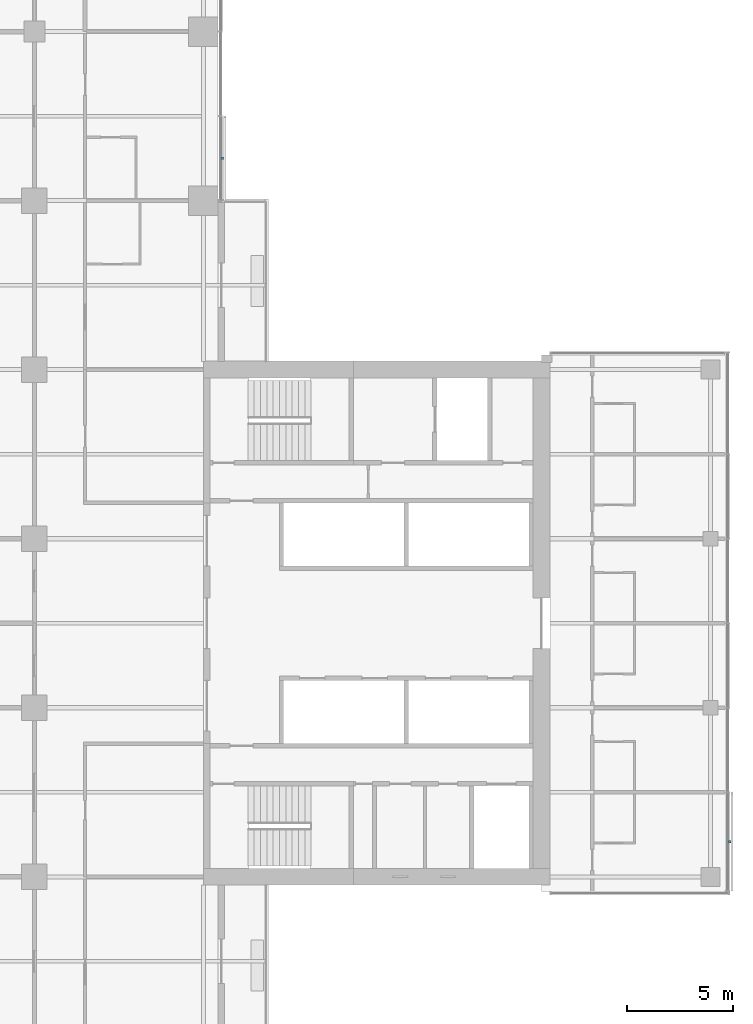
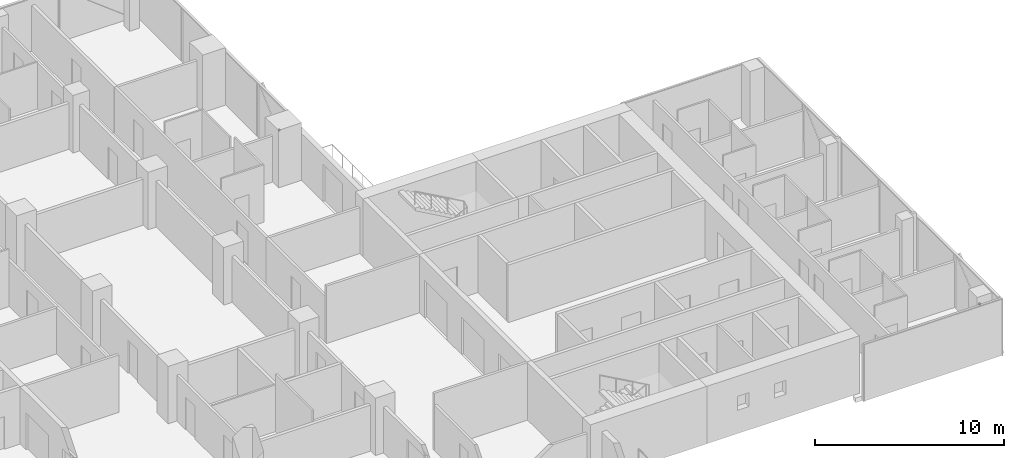
# One storey, part 25 of 27: 2 discrete accessories.
"""IFC4 building model written with IfcOpenShell, lengths in metres."""

from ifc_helpers import new_model, si_unit, direction, frame, origin, origin_2d, place, context, subcontext, project, spatial, rectangle, extrude, material, type_object, element, save


model = new_model("IFC4")

# Units and contexts
model_context = context("Model", 3, precision=1e-05, world=origin(), true_north=direction((0.0, 1.0)))
body_context = subcontext(model_context, "Body", "Model", "MODEL_VIEW")
ifc_project = project(units=[si_unit("LENGTHUNIT", "METRE"), si_unit("AREAUNIT", "SQUARE_METRE"), si_unit("VOLUMEUNIT", "CUBIC_METRE"), si_unit("PLANEANGLEUNIT", "RADIAN"), si_unit("MASSUNIT", "GRAM", prefix="KILO")], contexts=[model_context])

# Site, building, storey
site_placement = place(None, origin())
site = spatial("IfcSite", under=ifc_project, at=site_placement, CompositionType="ELEMENT")
building_placement = place(site_placement, origin())
building = spatial("IfcBuilding", under=site, at=building_placement, Name="Crosswind Convention Tower", CompositionType="ELEMENT")
storey_placement = place(building_placement, frame((0.0, 0.0, 90.5)))
storey = spatial("IfcBuildingStorey", under=building, at=storey_placement, Name="L17", CompositionType="ELEMENT", Elevation=90.5)

# Discrete accessories
ifc_material = material(Name="Stainless steel", Category="steel")
discrete_accessory_type = type_object("IfcDiscreteAccessoryType", Name="BAGUETTE BRACKET BK2", PredefinedType="BRACKET", material=ifc_material)
for number, where, z_axis, x_axis, name in (
    (1, (161.907958984375, 89.666259765625, 1.4775390625), (0.0, 0.0, 1.0), (0.0, 1.0, 0.0), "BK2 baguette bracket"),
    (2, (137.907958984375, 122.0, 1.4775390625), (0.0, 0.0, 1.0), (0.0, 1.0, 0.0), "BK2 baguette bracket"),
):
    element("IfcDiscreteAccessory", number, at=place(storey_placement, frame(where, z_axis=z_axis, x_axis=x_axis)), inside=storey, type_object=discrete_accessory_type, Name=name, PredefinedType="BRACKET", context=body_context, shape_type="SweptSolid", body=[
        extrude(rectangle(XDim=0.1201171875, YDim=0.10009765625, at=origin_2d()), origin(), (0.0, 0.0, 1.0), 0.1201171875),
    ])

save(model, "model.ifc")
